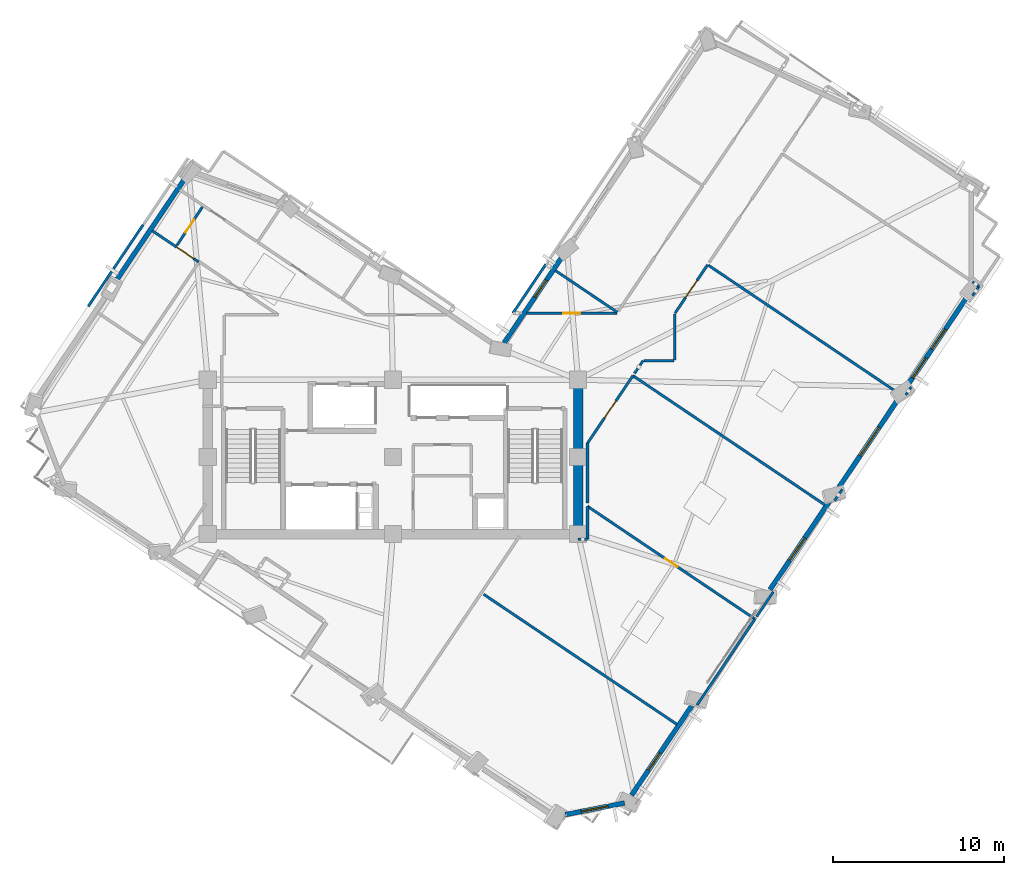
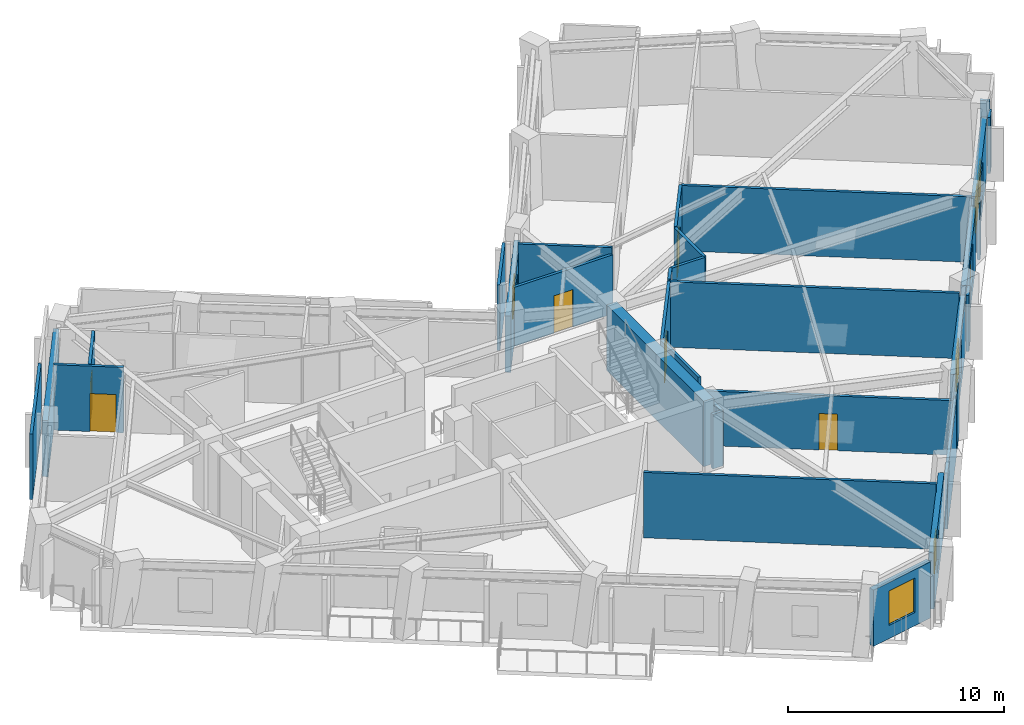
# One storey, part 7 of 14: 32 walls, 7 windows, 6 doors, 13 openings.
"""IFC4 building model written with IfcOpenShell, lengths in metres."""

from ifc_helpers import new_model, si_unit, direction, frame, frame_2d, origin, place, context, subcontext, project, spatial, rectangle, extrude, material, layer, layer_set, type_object, element, fill, save


model = new_model("IFC4")

# Units and contexts
model_context = context("Model", 3, precision=1e-05, world=origin(), true_north=direction((0.0, 1.0)))
body_context = subcontext(model_context, "Body", "Model", "MODEL_VIEW")
ifc_project = project(units=[si_unit("LENGTHUNIT", "METRE"), si_unit("AREAUNIT", "SQUARE_METRE"), si_unit("VOLUMEUNIT", "CUBIC_METRE"), si_unit("PLANEANGLEUNIT", "RADIAN"), si_unit("MASSUNIT", "GRAM", prefix="KILO")], contexts=[model_context])

# Site, building, storey
site_placement = place(None, origin())
site = spatial("IfcSite", under=ifc_project, at=site_placement, CompositionType="ELEMENT")
building_placement = place(site_placement, origin())
building = spatial("IfcBuilding", under=site, at=building_placement, Name="Gaonmaruhae Medical Tower", CompositionType="ELEMENT")
storey_placement = place(building_placement, frame((0.0, 0.0, 263.199951171875)))
storey = spatial("IfcBuildingStorey", under=building, at=storey_placement, Name="L63", CompositionType="ELEMENT", Elevation=263.199951171875)

# Wall
ifc_material_1 = material(Name="Concrete C50/60", Category="concrete")
ifc_layer_1 = layer(ifc_material_1, 0.550048828125)
ifc_layer_set_1 = layer_set([ifc_layer_1], Name="Concrete C50/60")
wall_type_1 = type_object("IfcWallType", Name="CW-550 Mid-High Core Shear Wall", PredefinedType="SHEAR", material=ifc_layer_set_1)
wall_1_placement = place(storey_placement, frame((35.60009765625, 7.800048828125, 0.0), z_axis=(0.0, 0.0, 1.0), x_axis=(0.0, 1.0, 0.0)))
element("IfcWall", 1, at=wall_1_placement, inside=storey, type_object=wall_type_1, Name="L63 Core Shear Wall CSW-E1", PredefinedType="SHEAR", context=body_context, shape_type="SweptSolid", body=[
    extrude(rectangle(XDim=9.0, YDim=0.550048828125, at=frame_2d((4.5, 0.0))), origin(), (0.0, 0.0, 1.0), 3.699951171875),
])

# Wall, opening, window
ifc_material_2 = material(Name="Precast concrete C45/55", Category="concrete")
ifc_layer_2 = layer(ifc_material_2, 0.280029296875)
ifc_layer_set_2 = layer_set([ifc_layer_2], Name="Precast concrete C45/55")
wall_type_2 = type_object("IfcWallType", Name="EW-280 Upper Precast Masonry-Frame Facade Wall", PredefinedType="SOLIDWALL", material=ifc_layer_set_2)
wall_2_placement = place(storey_placement, frame((42.347412109375, -2.048095703125, 0.0), z_axis=(0.0, 0.0, 1.0), x_axis=(-0.558482497453, -0.829516304866, 0.0)))
wall_2 = element("IfcWall", 2, at=wall_2_placement, inside=storey, type_object=wall_type_2, Name="L63 Precast Masonry-Frame Wall S01-S02", PredefinedType="SOLIDWALL", context=body_context, shape_type="SweptSolid", body=[
    extrude(rectangle(XDim=6.484619140625, YDim=0.280029296875, at=frame_2d((3.2421875, 0.0))), origin(), (0.0, 0.0, 1.0), 3.18505859375),
])
opening_1_placement = place(wall_2_placement, frame((3.5263671875, 0.0, 0.75)))
opening_1 = element("IfcOpeningElement", 3, at=opening_1_placement, cuts=wall_2, Name="Opening WN-05", PredefinedType="OPENING", context=body_context, shape_type="SweptSolid", body=[
    extrude(rectangle(XDim=1.199951171875, YDim=1.75, at=frame_2d((0.60009765625, 0.875))), frame((0.0, 0.14990234375, 0.0), z_axis=(0.0, -1.0, 0.0), x_axis=(1.0, 0.0, 0.0)), (0.0, 0.0, 1.0), 0.300048828125),
])
ifc_material_3 = material(Name="Anodised aluminium and Low-E double glazing", Category="aluminium")
window_type_1 = type_object("IfcWindowType", Name="WN-05 Support & Staff Punched Window 1200x1750", PartitioningType="SINGLE_PANEL", PredefinedType="WINDOW", material=ifc_material_3)
window_1_placement = place(opening_1_placement, origin())
window_1 = element("IfcWindow", 4, at=window_1_placement, inside=storey, type_object=window_type_1, Name="L63 Modular Facade Window S01", OverallHeight=1.75, OverallWidth=1.199951171875, PartitioningType="SINGLE_PANEL", PredefinedType="WINDOW", context=body_context, shape_type="SweptSolid", body=[
    extrude(rectangle(XDim=1.199951171875, YDim=1.75, at=frame_2d((0.60009765625, 0.875))), frame((0.0, 0.030029296875, 0.0), z_axis=(0.0, -1.0, 0.0), x_axis=(1.0, 0.0, 0.0)), (0.0, 0.0, 1.0), 0.06005859375),
])
fill(opening_1, window_1)

wall_3_placement = place(storey_placement, frame((50.374755859375, 9.875244140625, 0.0), z_axis=(0.0, 0.0, 1.0), x_axis=(-0.558480653556, -0.829517546291, 0.0)))
wall_3 = element("IfcWall", 5, at=wall_3_placement, inside=storey, type_object=wall_type_2, Name="L63 Precast Masonry-Frame Wall S03-S04", PredefinedType="SOLIDWALL", context=body_context, shape_type="SweptSolid", body=[
    extrude(rectangle(XDim=6.413330078125, YDim=0.280029296875, at=frame_2d((3.20654296875, 0.0))), origin(), (0.0, 0.0, 1.0), 3.18505859375),
])
opening_2_placement = place(wall_3_placement, frame((2.770751953125, 0.0, 0.75)))
opening_2 = element("IfcOpeningElement", 6, at=opening_2_placement, cuts=wall_3, Name="Opening WN-01", PredefinedType="OPENING", context=body_context, shape_type="SweptSolid", body=[
    extrude(rectangle(XDim=1.60009765625, YDim=1.949951171875, at=frame_2d((0.800048828125, 0.97509765625))), frame((0.0, 0.14990234375, 0.0), z_axis=(0.0, -1.0, 0.0), x_axis=(1.0, 0.0, 0.0)), (0.0, 0.0, 1.0), 0.300048828125),
])
window_type_2 = type_object("IfcWindowType", Name="WN-01 Ward Punched Acoustic Window 1600x1950", PartitioningType="SINGLE_PANEL", PredefinedType="WINDOW", material=ifc_material_3)
window_2_placement = place(opening_2_placement, origin())
window_2 = element("IfcWindow", 7, at=window_2_placement, inside=storey, type_object=window_type_2, Name="L63 Modular Facade Window S03", OverallHeight=1.949951171875, OverallWidth=1.60009765625, PartitioningType="SINGLE_PANEL", PredefinedType="WINDOW", context=body_context, shape_type="SweptSolid", body=[
    extrude(rectangle(XDim=1.60009765625, YDim=1.949951171875, at=frame_2d((0.800048828125, 0.97509765625))), frame((0.0, 0.030029296875, 0.0), z_axis=(0.0, -1.0, 0.0), x_axis=(1.0, 0.0, 0.0)), (0.0, 0.0, 1.0), 0.06005859375),
])
fill(opening_2, window_2)

wall_4_placement = place(storey_placement, frame((54.39599609375, 15.848388671875, 0.0), z_axis=(0.0, 0.0, 1.0), x_axis=(-0.558449495044, -0.829538523208, 0.0)))
wall_4 = element("IfcWall", 8, at=wall_4_placement, inside=storey, type_object=wall_type_2, Name="L63 Precast Masonry-Frame Wall S04-S05", PredefinedType="SOLIDWALL", context=body_context, shape_type="SweptSolid", body=[
    extrude(rectangle(XDim=6.40673828125, YDim=0.280029296875, at=frame_2d((3.203369140625, 0.0))), origin(), (0.0, 0.0, 1.0), 3.18505859375),
])
opening_3_placement = place(wall_4_placement, frame((2.203857421875, 0.0, 0.75)))
opening_3 = element("IfcOpeningElement", 9, at=opening_3_placement, cuts=wall_4, Name="Opening WN-02", PredefinedType="OPENING", context=body_context, shape_type="SweptSolid", body=[
    extrude(rectangle(XDim=2.0, YDim=1.949951171875, at=frame_2d((1.0, 0.97509765625))), frame((0.0, 0.14990234375, 0.0), z_axis=(0.0, -1.0, 0.0), x_axis=(1.0, 0.0, 0.0)), (0.0, 0.0, 1.0), 0.300048828125),
])
window_type_3 = type_object("IfcWindowType", Name="WN-02 Double-Bed Ward Punched Window 2000x1950", PartitioningType="SINGLE_PANEL", PredefinedType="WINDOW", material=ifc_material_3)
window_3_placement = place(opening_3_placement, origin())
window_3 = element("IfcWindow", 10, at=window_3_placement, inside=storey, type_object=window_type_3, Name="L63 Modular Facade Window S04", OverallHeight=1.949951171875, OverallWidth=2.0, PartitioningType="SINGLE_PANEL", PredefinedType="WINDOW", context=body_context, shape_type="SweptSolid", body=[
    extrude(rectangle(XDim=2.0, YDim=1.949951171875, at=frame_2d((1.0, 0.97509765625))), frame((0.0, 0.030029296875, 0.0), z_axis=(0.0, -1.0, 0.0), x_axis=(1.0, 0.0, 0.0)), (0.0, 0.0, 1.0), 0.06005859375),
])
fill(opening_3, window_3)

# Wall, openings, windows
wall_5_placement = place(storey_placement, frame((58.422607421875, 21.8291015625, 0.0), z_axis=(0.0, 0.0, 1.0), x_axis=(-0.558495168745, -0.829507773615, 0.0)))
wall_5 = element("IfcWall", 11, at=wall_5_placement, inside=storey, type_object=wall_type_2, Name="L63 Precast Masonry-Frame Wall S05-S06", PredefinedType="SOLIDWALL", context=body_context, shape_type="SweptSolid", body=[
    extrude(rectangle(XDim=6.41845703125, YDim=0.280029296875, at=frame_2d((3.209228515625, 0.0))), origin(), (0.0, 0.0, 1.0), 3.18505859375),
])
opening_4_placement = place(wall_5_placement, frame((2.511962890625, 0.0, 0.75)))
opening_4 = element("IfcOpeningElement", 12, at=opening_4_placement, cuts=wall_5, Name="Opening WN-03", PredefinedType="OPENING", context=body_context, shape_type="SweptSolid", body=[
    extrude(rectangle(XDim=1.39990234375, YDim=1.85009765625, at=frame_2d((0.699951171875, 0.925048828125))), frame((0.0, 0.14990234375, 0.0), z_axis=(0.0, -1.0, 0.0), x_axis=(1.0, 0.0, 0.0)), (0.0, 0.0, 1.0), 0.300048828125),
])
opening_5_placement = place(wall_5_placement, frame((4.52978515625, 0.0, 0.75)))
opening_5 = element("IfcOpeningElement", 13, at=opening_5_placement, cuts=wall_5, Name="Opening WN-03", PredefinedType="OPENING", context=body_context, shape_type="SweptSolid", body=[
    extrude(rectangle(XDim=1.39990234375, YDim=1.85009765625, at=frame_2d((0.699951171875, 0.925048828125))), frame((0.0, 0.14990234375, 0.0), z_axis=(0.0, -1.0, 0.0), x_axis=(1.0, 0.0, 0.0)), (0.0, 0.0, 1.0), 0.300048828125),
])
window_type_4 = type_object("IfcWindowType", Name="WN-03 Isolation Ward Punched Window 1400x1850", PartitioningType="SINGLE_PANEL", PredefinedType="WINDOW", material=ifc_material_3)
window_4_placement = place(opening_4_placement, origin())
window_4 = element("IfcWindow", 14, at=window_4_placement, inside=storey, type_object=window_type_4, Name="L63 Modular Facade Window S05", OverallHeight=1.85009765625, OverallWidth=1.39990234375, PartitioningType="SINGLE_PANEL", PredefinedType="WINDOW", context=body_context, shape_type="SweptSolid", body=[
    extrude(rectangle(XDim=1.39990234375, YDim=1.85009765625, at=frame_2d((0.699951171875, 0.925048828125))), frame((0.0, 0.030029296875, 0.0), z_axis=(0.0, -1.0, 0.0), x_axis=(1.0, 0.0, 0.0)), (0.0, 0.0, 1.0), 0.06005859375),
])
fill(opening_4, window_4)
window_5_placement = place(opening_5_placement, origin())
window_5 = element("IfcWindow", 15, at=window_5_placement, inside=storey, type_object=window_type_4, Name="L63 Modular Facade Window S05B", OverallHeight=1.85009765625, OverallWidth=1.39990234375, PartitioningType="SINGLE_PANEL", PredefinedType="WINDOW", context=body_context, shape_type="SweptSolid", body=[
    extrude(rectangle(XDim=1.39990234375, YDim=1.85009765625, at=frame_2d((0.699951171875, 0.925048828125))), frame((0.0, 0.030029296875, 0.0), z_axis=(0.0, -1.0, 0.0), x_axis=(1.0, 0.0, 0.0)), (0.0, 0.0, 1.0), 0.06005859375),
])
fill(opening_5, window_5)

# Wall, opening, window
wall_6_placement = place(storey_placement, frame((31.288330078125, 18.948974609375, 0.0), z_axis=(0.0, 0.0, 1.0), x_axis=(0.558472908241, 0.829522760846, 0.0)))
wall_6 = element("IfcWall", 16, at=wall_6_placement, inside=storey, type_object=wall_type_2, Name="L63 Precast Masonry-Frame Wall EN02-KN01", PredefinedType="SOLIDWALL", context=body_context, shape_type="SweptSolid", body=[
    extrude(rectangle(XDim=6.158203125, YDim=0.280029296875, at=frame_2d((3.0791015625, 0.0))), origin(), (0.0, 0.0, 1.0), 3.18505859375),
])
opening_6_placement = place(wall_6_placement, frame((3.212890625, 0.0, 0.75)))
opening_6 = element("IfcOpeningElement", 17, at=opening_6_placement, cuts=wall_6, Name="Opening WN-05", PredefinedType="OPENING", context=body_context, shape_type="SweptSolid", body=[
    extrude(rectangle(XDim=1.199951171875, YDim=1.75, at=frame_2d((0.60009765625, 0.875))), frame((0.0, 0.14990234375, 0.0), z_axis=(0.0, -1.0, 0.0), x_axis=(1.0, 0.0, 0.0)), (0.0, 0.0, 1.0), 0.300048828125),
])
window_6_placement = place(opening_6_placement, origin())
window_6 = element("IfcWindow", 18, at=window_6_placement, inside=storey, type_object=window_type_1, Name="L63 Modular Facade Window EN02", OverallHeight=1.75, OverallWidth=1.199951171875, PartitioningType="SINGLE_PANEL", PredefinedType="WINDOW", context=body_context, shape_type="SweptSolid", body=[
    extrude(rectangle(XDim=1.199951171875, YDim=1.75, at=frame_2d((0.60009765625, 0.875))), frame((0.0, 0.030029296875, 0.0), z_axis=(0.0, -1.0, 0.0), x_axis=(1.0, 0.0, 0.0)), (0.0, 0.0, 1.0), 0.06005859375),
])
fill(opening_6, window_6)

# Wall
wall_7_placement = place(storey_placement, frame((8.509765625, 22.359619140625, 0.0), z_axis=(0.0, 0.0, 1.0), x_axis=(0.558483719986, 0.829515481779, 0.0)))
element("IfcWall", 19, at=wall_7_placement, inside=storey, type_object=wall_type_2, Name="L63 Precast Masonry-Frame Wall N01-N02", PredefinedType="SOLIDWALL", context=body_context, shape_type="SweptSolid", body=[
    extrude(rectangle(XDim=7.43408203125, YDim=0.280029296875, at=frame_2d((3.717041015625, 0.0))), origin(), (0.0, 0.0, 1.0), 3.18505859375),
])

# Wall, opening, window
wall_8_placement = place(storey_placement, frame((38.30859375, -7.89013671875, 0.0), z_axis=(0.0, 0.0, 1.0), x_axis=(-0.981458786482, -0.191673290881, 0.0)))
wall_8 = element("IfcWall", 20, at=wall_8_placement, inside=storey, type_object=wall_type_2, Name="L63 Precast Masonry-Frame Wall W06-S01", PredefinedType="SOLIDWALL", context=body_context, shape_type="SweptSolid", body=[
    extrude(rectangle(XDim=3.5205078125, YDim=0.280029296875, at=frame_2d((1.76025390625, 0.0))), origin(), (0.0, 0.0, 1.0), 3.18505859375),
])
opening_7_placement = place(wall_8_placement, frame((0.959716796875, 0.0, 0.75)))
opening_7 = element("IfcOpeningElement", 21, at=opening_7_placement, cuts=wall_8, Name="Opening WN-01", PredefinedType="OPENING", context=body_context, shape_type="SweptSolid", body=[
    extrude(rectangle(XDim=1.60009765625, YDim=1.949951171875, at=frame_2d((0.800048828125, 0.97509765625))), frame((0.0, 0.14990234375, 0.0), z_axis=(0.0, -1.0, 0.0), x_axis=(1.0, 0.0, 0.0)), (0.0, 0.0, 1.0), 0.300048828125),
])
window_7_placement = place(opening_7_placement, origin())
window_7 = element("IfcWindow", 22, at=window_7_placement, inside=storey, type_object=window_type_2, Name="L63 Modular Facade Window W06", OverallHeight=1.949951171875, OverallWidth=1.60009765625, PartitioningType="SINGLE_PANEL", PredefinedType="WINDOW", context=body_context, shape_type="SweptSolid", body=[
    extrude(rectangle(XDim=1.60009765625, YDim=1.949951171875, at=frame_2d((0.800048828125, 0.97509765625))), frame((0.0, 0.030029296875, 0.0), z_axis=(0.0, -1.0, 0.0), x_axis=(1.0, 0.0, 0.0)), (0.0, 0.0, 1.0), 0.06005859375),
])
fill(opening_7, window_7)

# Wall, opening, door
ifc_material_4 = material(Name="Gypsum board partition", Category="gypsum")
ifc_layer_3 = layer(ifc_material_4, 0.14990234375)
ifc_layer_set_3 = layer_set([ifc_layer_3], Name="Gypsum board partition")
wall_type_3 = type_object("IfcWallType", Name="PW-150 Rated Clinical Corridor Partition", PredefinedType="PARTITIONING", material=ifc_layer_set_3)
wall_9_placement = place(storey_placement, frame((36.14990234375, 9.4189453125, 0.0), z_axis=(0.0, 0.0, 1.0), x_axis=(0.829512010083, -0.558488876458, 0.0)))
wall_9 = element("IfcWall", 23, at=wall_9_placement, inside=storey, type_object=wall_type_3, Name="L63 Interior Partition L63-SUP02-7", PredefinedType="PARTITIONING", context=body_context, shape_type="SweptSolid", body=[
    extrude(rectangle(XDim=11.7744140625, YDim=0.14990234375, at=frame_2d((5.88720703125, 0.0))), origin(), (0.0, 0.0, 1.0), 3.0849609375),
])
opening_8_placement = place(wall_9_placement, frame((5.457275390625, 0.0, 0.0)))
opening_8 = element("IfcOpeningElement", 24, at=opening_8_placement, cuts=wall_9, Name="Opening AD-01", PredefinedType="OPENING", context=body_context, shape_type="SweptSolid", body=[
    extrude(rectangle(XDim=0.860107421875, YDim=2.06005859375, at=frame_2d((0.43017578125, 1.030029296875))), frame((0.0, 0.0849609375, 0.0), z_axis=(0.0, -1.0, 0.0), x_axis=(1.0, 0.0, 0.0)), (0.0, 0.0, 1.0), 0.169921875),
])
ifc_material_5 = material(Name="Powder-coated steel access door", Category="steel")
door_type_1 = type_object("IfcDoorType", Name="AD-01 Riser & Closet Access Fire Door 860x2060", OperationType="NOTDEFINED", PredefinedType="DOOR", material=ifc_material_5)
door_1_placement = place(opening_8_placement, origin())
door_1 = element("IfcDoor", 25, at=door_1_placement, inside=storey, type_object=door_type_1, Name="L63 Clinical Biomedical Charting Office Sliding Door", OperationType="SLIDING_TO_LEFT", OverallHeight=2.06005859375, OverallWidth=0.860107421875, PredefinedType="DOOR", context=body_context, shape_type="SweptSolid", body=[
    extrude(rectangle(XDim=0.860107421875, YDim=2.06005859375, at=frame_2d((0.43017578125, 1.030029296875))), frame((0.0, 0.02490234375, 0.0), z_axis=(0.0, -1.0, 0.0), x_axis=(1.0, 0.0, 0.0)), (0.0, 0.0, 1.0), 0.050048828125),
])
fill(opening_8, door_1)

# Walls
wall_10_placement = place(storey_placement, frame((45.9169921875, 2.843017578125, 0.0), z_axis=(0.0, 0.0, 1.0), x_axis=(-0.558381708273, -0.829584153577, 0.0)))
element("IfcWall", 26, at=wall_10_placement, inside=storey, type_object=wall_type_3, Name="L63 Interior Partition L63-SUP02-8", PredefinedType="PARTITIONING", context=body_context, shape_type="SweptSolid", body=[
    extrude(rectangle(XDim=6.05126953125, YDim=0.14990234375, at=frame_2d((3.025634765625, 0.0))), origin(), (0.0, 0.0, 1.0), 3.18505859375),
])
wall_11_placement = place(storey_placement, frame((41.364990234375, -3.302001953125, 0.0), z_axis=(0.0, 0.0, 1.0), x_axis=(-0.829542602035, 0.558443436178, 0.0)))
element("IfcWall", 27, at=wall_11_placement, inside=storey, type_object=wall_type_3, Name="L63 Interior Partition L63-SUP02-9", PredefinedType="PARTITIONING", context=body_context, shape_type="SweptSolid", body=[
    extrude(rectangle(XDim=13.5859375, YDim=0.14990234375, at=frame_2d((6.79296875, 0.0))), origin(), (0.0, 0.0, 1.0), 3.699951171875),
])
wall_12_placement = place(storey_placement, frame((35.60009765625, 7.5, 0.0), z_axis=(0.0, 0.0, 1.0), x_axis=(1.0, 0.0, 0.0)))
element("IfcWall", 28, at=wall_12_placement, inside=storey, type_object=wall_type_3, Name="L63 Interior Partition L63-SUP02-11", PredefinedType="PARTITIONING", context=body_context, shape_type="SweptSolid", body=[
    extrude(rectangle(XDim=0.5498046875, YDim=0.14990234375, at=frame_2d((0.27490234375, 0.0))), origin(), (0.0, 0.0, 1.0), 3.0849609375),
])
wall_13_placement = place(storey_placement, frame((36.14990234375, 7.5, 0.0), z_axis=(0.0, 0.0, 1.0), x_axis=(0.0, 1.0, 0.0)))
element("IfcWall", 29, at=wall_13_placement, inside=storey, type_object=wall_type_3, Name="L63 Interior Partition L63-SUP02-12", PredefinedType="PARTITIONING", context=body_context, shape_type="SweptSolid", body=[
    extrude(rectangle(XDim=1.9189453125, YDim=0.14990234375, at=frame_2d((0.95947265625, 0.0))), origin(), (0.0, 0.0, 1.0), 3.0849609375),
])
wall_14_placement = place(storey_placement, frame((38.801025390625, 17.037109375, 0.0), z_axis=(0.0, 0.0, 1.0), x_axis=(0.829520972269, -0.558475564878, 0.0)))
element("IfcWall", 30, at=wall_14_placement, inside=storey, type_object=wall_type_3, Name="L63 Interior Partition L63-SUP03-13", PredefinedType="PARTITIONING", context=body_context, shape_type="SweptSolid", body=[
    extrude(rectangle(XDim=13.48486328125, YDim=0.14990234375, at=frame_2d((6.742431640625, 0.0))), origin(), (0.0, 0.0, 1.0), 3.699951171875),
])
wall_15_placement = place(storey_placement, frame((46.98388671875, 4.427001953125, 0.0), z_axis=(0.0, 0.0, 1.0), x_axis=(-0.558463190608, -0.829529303121, 0.0)))
element("IfcWall", 31, at=wall_15_placement, inside=storey, type_object=wall_type_3, Name="L63 Interior Partition L63-SUP03-14", PredefinedType="PARTITIONING", context=body_context, shape_type="SweptSolid", body=[
    extrude(rectangle(XDim=1.7490234375, YDim=0.14990234375, at=frame_2d((0.87451171875, 0.0))), origin(), (0.0, 0.0, 1.0), 3.18505859375),
])
wall_16_placement = place(storey_placement, frame((36.14990234375, 9.612060546875, 0.0), z_axis=(0.0, 0.0, 1.0), x_axis=(0.0, 1.0, 0.0)))
element("IfcWall", 32, at=wall_16_placement, inside=storey, type_object=wall_type_3, Name="L63 Interior Partition L63-SUP03-15", PredefinedType="PARTITIONING", context=body_context, shape_type="SweptSolid", body=[
    extrude(rectangle(XDim=3.487060546875, YDim=0.14990234375, at=frame_2d((1.74365234375, 0.0))), origin(), (0.0, 0.0, 1.0), 3.699951171875),
])

# Wall, opening, door
wall_17_placement = place(storey_placement, frame((36.14990234375, 13.09912109375, 0.0), z_axis=(0.0, 0.0, 1.0), x_axis=(0.558456682141, 0.829533684772, 0.0)))
wall_17 = element("IfcWall", 33, at=wall_17_placement, inside=storey, type_object=wall_type_3, Name="L63 Interior Partition L63-SUP03-16", PredefinedType="PARTITIONING", context=body_context, shape_type="SweptSolid", body=[
    extrude(rectangle(XDim=4.747314453125, YDim=0.14990234375, at=frame_2d((2.37353515625, 0.0))), origin(), (0.0, 0.0, 1.0), 3.699951171875),
])
opening_9_placement = place(wall_17_placement, frame((1.773681640625, 0.0, 0.0)))
opening_9 = element("IfcOpeningElement", 34, at=opening_9_placement, cuts=wall_17, Name="Opening CD-02", PredefinedType="OPENING", context=body_context, shape_type="SweptSolid", body=[
    extrude(rectangle(XDim=1.199951171875, YDim=2.14990234375, at=frame_2d((0.60009765625, 1.074951171875))), frame((0.0, 0.0849609375, 0.0), z_axis=(0.0, -1.0, 0.0), x_axis=(1.0, 0.0, 0.0)), (0.0, 0.0, 1.0), 0.169921875),
])
ifc_material_6 = material(Name="Antimicrobial laminate timber fire door", Category="wood")
door_type_2 = type_object("IfcDoorType", Name="CD-02 Clinical Treatment & Procedure Door 1200x2150", OperationType="NOTDEFINED", PredefinedType="DOOR", material=ifc_material_6)
door_2_placement = place(opening_9_placement, origin())
door_2 = element("IfcDoor", 35, at=door_2_placement, inside=storey, type_object=door_type_2, Name="L63 Clinical Biomedical Charting Office Door", OperationType="SINGLE_SWING_RIGHT", OverallHeight=2.14990234375, OverallWidth=1.199951171875, PredefinedType="DOOR", context=body_context, shape_type="SweptSolid", body=[
    extrude(rectangle(XDim=1.199951171875, YDim=2.14990234375, at=frame_2d((0.60009765625, 1.074951171875))), frame((0.0, 0.02490234375, 0.0), z_axis=(0.0, -1.0, 0.0), x_axis=(1.0, 0.0, 0.0)), (0.0, 0.0, 1.0), 0.050048828125),
])
fill(opening_9, door_2)

# Wall
wall_18_placement = place(storey_placement, frame((41.22998046875, 17.949951171875, 0.0), z_axis=(0.0, 0.0, 1.0), x_axis=(0.0, 1.0, 0.0)))
element("IfcWall", 36, at=wall_18_placement, inside=storey, type_object=wall_type_3, Name="L63 Interior Partition L63-SUP04-17", PredefinedType="PARTITIONING", context=body_context, shape_type="SweptSolid", body=[
    extrude(rectangle(XDim=2.694091796875, YDim=0.14990234375, at=frame_2d((1.34716796875, 0.0))), origin(), (0.0, 0.0, 1.0), 3.699951171875),
])

# Wall, opening, door
wall_19_placement = place(storey_placement, frame((41.258056640625, 20.68505859375, 0.0), z_axis=(0.0, 0.0, 1.0), x_axis=(0.558272819902, 0.829657434462, 0.0)))
wall_19 = element("IfcWall", 37, at=wall_19_placement, inside=storey, type_object=wall_type_3, Name="L63 Interior Partition L63-SUP04-18", PredefinedType="PARTITIONING", context=body_context, shape_type="SweptSolid", body=[
    extrude(rectangle(XDim=3.4013671875, YDim=0.14990234375, at=frame_2d((1.70068359375, 0.0))), origin(), (0.0, 0.0, 1.0), 3.699951171875),
])
opening_10_placement = place(wall_19_placement, frame((1.1005859375, 0.0, 0.0)))
opening_10 = element("IfcOpeningElement", 38, at=opening_10_placement, cuts=wall_19, Name="Opening CD-02", PredefinedType="OPENING", context=body_context, shape_type="SweptSolid", body=[
    extrude(rectangle(XDim=1.199951171875, YDim=2.14990234375, at=frame_2d((0.60009765625, 1.074951171875))), frame((0.0, 0.0849609375, 0.0), z_axis=(0.0, -1.0, 0.0), x_axis=(1.0, 0.0, 0.0)), (0.0, 0.0, 1.0), 0.169921875),
])
door_3_placement = place(opening_10_placement, origin())
door_3 = element("IfcDoor", 39, at=door_3_placement, inside=storey, type_object=door_type_2, Name="L63 Clinical Biomedical Charting Office Door", OperationType="SINGLE_SWING_RIGHT", OverallHeight=2.14990234375, OverallWidth=1.199951171875, PredefinedType="DOOR", context=body_context, shape_type="SweptSolid", body=[
    extrude(rectangle(XDim=1.199951171875, YDim=2.14990234375, at=frame_2d((0.60009765625, 1.074951171875))), frame((0.0, 0.02490234375, 0.0), z_axis=(0.0, -1.0, 0.0), x_axis=(1.0, 0.0, 0.0)), (0.0, 0.0, 1.0), 0.050048828125),
])
fill(opening_10, door_3)

# Walls
wall_20_placement = place(storey_placement, frame((43.197998046875, 23.47900390625, 0.0), z_axis=(0.0, 0.0, 1.0), x_axis=(0.829581933243, -0.558385006994, 0.0)))
element("IfcWall", 40, at=wall_20_placement, inside=storey, type_object=wall_type_3, Name="L63 Interior Partition L63-SUP04-19", PredefinedType="PARTITIONING", context=body_context, shape_type="SweptSolid", body=[
    extrude(rectangle(XDim=13.465576171875, YDim=0.14990234375, at=frame_2d((6.73291015625, 0.0))), origin(), (0.0, 0.0, 1.0), 3.699951171875),
])
wall_21_placement = place(storey_placement, frame((51.009033203125, 10.405029296875, 0.0), z_axis=(0.0, 0.0, 1.0), x_axis=(-0.558600379479, -0.829436927105, 0.0)))
element("IfcWall", 41, at=wall_21_placement, inside=storey, type_object=wall_type_3, Name="L63 Interior Partition L63-SUP04-20", PredefinedType="PARTITIONING", context=body_context, shape_type="SweptSolid", body=[
    extrude(rectangle(XDim=0.793212890625, YDim=0.14990234375, at=frame_2d((0.396484375, 0.0))), origin(), (0.0, 0.0, 1.0), 3.18505859375),
])
wall_22_placement = place(storey_placement, frame((38.89111328125, 17.169921875, 0.0), z_axis=(0.0, 0.0, 1.0), x_axis=(0.558433549648, 0.829549257505, 0.0)))
element("IfcWall", 42, at=wall_22_placement, inside=storey, type_object=wall_type_3, Name="L63 Interior Partition L63-SUP04-21", PredefinedType="PARTITIONING", context=body_context, shape_type="SweptSolid", body=[
    extrude(rectangle(XDim=0.904052734375, YDim=0.14990234375, at=frame_2d((0.4521484375, 0.0))), origin(), (0.0, 0.0, 1.0), 3.699951171875),
])
wall_23_placement = place(storey_placement, frame((39.446044921875, 17.919921875, 0.0), z_axis=(0.0, 0.0, 1.0), x_axis=(1.0, 0.0, 0.0)))
element("IfcWall", 43, at=wall_23_placement, inside=storey, type_object=wall_type_3, Name="L63 Interior Partition L63-SUP04-22", PredefinedType="PARTITIONING", context=body_context, shape_type="SweptSolid", body=[
    extrude(rectangle(XDim=1.743896484375, YDim=0.14990234375, at=frame_2d((0.8720703125, 0.0))), origin(), (0.0, 0.0, 1.0), 3.699951171875),
])
wall_24_placement = place(storey_placement, frame((58.60595703125, 22.510009765625, 0.0), z_axis=(0.0, 0.0, 1.0), x_axis=(0.829336183231, -0.558749939762, 0.0)))
element("IfcWall", 44, at=wall_24_placement, inside=storey, type_object=wall_type_3, Name="L63 Interior Partition L63-SUP05-25", PredefinedType="PARTITIONING", context=body_context, shape_type="SweptSolid", body=[
    extrude(rectangle(XDim=0.458251953125, YDim=0.14990234375, at=frame_2d((0.22900390625, 0.0))), origin(), (0.0, 0.0, 1.0), 3.699951171875),
])
wall_25_placement = place(storey_placement, frame((58.986083984375, 22.25390625, 0.0), z_axis=(0.0, 0.0, 1.0), x_axis=(-0.559252824806, -0.828997151953, 0.0)))
element("IfcWall", 45, at=wall_25_placement, inside=storey, type_object=wall_type_3, Name="L63 Interior Partition L63-SUP05-26", PredefinedType="PARTITIONING", context=body_context, shape_type="SweptSolid", body=[
    extrude(rectangle(XDim=0.6669921875, YDim=0.14990234375, at=frame_2d((0.33349609375, 0.0))), origin(), (0.0, 0.0, 1.0), 3.18505859375),
])
wall_26_placement = place(storey_placement, frame((55.029052734375, 16.3759765625, 0.0), z_axis=(0.0, 0.0, 1.0), x_axis=(-0.558958732834, -0.829195474535, 0.0)))
element("IfcWall", 46, at=wall_26_placement, inside=storey, type_object=wall_type_3, Name="L63 Interior Partition L63-SUP05-27", PredefinedType="PARTITIONING", context=body_context, shape_type="SweptSolid", body=[
    extrude(rectangle(XDim=0.5546875, YDim=0.14990234375, at=frame_2d((0.27734375, 0.0))), origin(), (0.0, 0.0, 1.0), 3.18505859375),
])
wall_27_placement = place(storey_placement, frame((34.27001953125, 23.173095703125, 0.0), z_axis=(0.0, 0.0, 1.0), x_axis=(0.82942268085, -0.558621532427, 0.0)))
element("IfcWall", 47, at=wall_27_placement, inside=storey, type_object=wall_type_3, Name="L63 Interior Partition L63-IE01-55", PredefinedType="PARTITIONING", context=body_context, shape_type="SweptSolid", body=[
    extrude(rectangle(XDim=4.375244140625, YDim=0.14990234375, at=frame_2d((2.1875, 0.0))), origin(), (0.0, 0.0, 1.0), 3.699951171875),
])

# Wall, opening, door
wall_28_placement = place(storey_placement, frame((37.865966796875, 20.679931640625, 0.0), z_axis=(0.0, 0.0, 1.0), x_axis=(-1.0, 0.0, 0.0)))
wall_28 = element("IfcWall", 48, at=wall_28_placement, inside=storey, type_object=wall_type_3, Name="L63 Interior Partition L63-IE01-56", PredefinedType="PARTITIONING", context=body_context, shape_type="SweptSolid", body=[
    extrude(rectangle(XDim=5.27392578125, YDim=0.14990234375, at=frame_2d((2.636962890625, 0.0))), origin(), (0.0, 0.0, 1.0), 3.3349609375),
])
opening_11_placement = place(wall_28_placement, frame((2.136962890625, 0.0, 0.0)))
opening_11 = element("IfcOpeningElement", 49, at=opening_11_placement, cuts=wall_28, Name="Opening CD-01", PredefinedType="OPENING", context=body_context, shape_type="SweptSolid", body=[
    extrude(rectangle(XDim=1.0, YDim=2.1201171875, at=frame_2d((0.5, 1.06005859375))), frame((0.0, 0.0849609375, 0.0), z_axis=(0.0, -1.0, 0.0), x_axis=(1.0, 0.0, 0.0)), (0.0, 0.0, 1.0), 0.169921875),
])
door_type_3 = type_object("IfcDoorType", Name="CD-01 Consultation & Physician Office Door 1000x2120", OperationType="NOTDEFINED", PredefinedType="DOOR", material=ifc_material_6)
door_4_placement = place(opening_11_placement, origin())
door_4 = element("IfcDoor", 50, at=door_4_placement, inside=storey, type_object=door_type_3, Name="L63 Central Clinical Nurse Station Door", OperationType="SINGLE_SWING_LEFT", OverallHeight=2.1201171875, OverallWidth=1.0, PredefinedType="DOOR", context=body_context, shape_type="SweptSolid", body=[
    extrude(rectangle(XDim=1.0, YDim=2.1201171875, at=frame_2d((0.5, 1.06005859375))), frame((0.0, 0.02490234375, 0.0), z_axis=(0.0, -1.0, 0.0), x_axis=(1.0, 0.0, 0.0)), (0.0, 0.0, 1.0), 0.050048828125),
])
fill(opening_11, door_4)

# Walls
wall_29_placement = place(storey_placement, frame((31.791015625, 20.679931640625, 0.0), z_axis=(0.0, 0.0, 1.0), x_axis=(0.558431585415, 0.829550579778, 0.0)))
element("IfcWall", 51, at=wall_29_placement, inside=storey, type_object=wall_type_3, Name="L63 Interior Partition L63-IE01-58", PredefinedType="PARTITIONING", context=body_context, shape_type="SweptSolid", body=[
    extrude(rectangle(XDim=3.452392578125, YDim=0.14990234375, at=frame_2d((1.72607421875, 0.0))), origin(), (0.0, 0.0, 1.0), 3.699951171875),
])
wall_30_placement = place(storey_placement, frame((7.027099609375, 21.087890625, 0.0), z_axis=(0.0, 0.0, 1.0), x_axis=(0.558395509972, 0.829574863676, 0.0)))
element("IfcWall", 52, at=wall_30_placement, inside=storey, type_object=wall_type_3, Name="L63 Interior Partition L63-RM02-84", PredefinedType="PARTITIONING", context=body_context, shape_type="SweptSolid", body=[
    extrude(rectangle(XDim=5.7392578125, YDim=0.14990234375, at=frame_2d((2.86962890625, 0.0))), origin(), (0.0, 0.0, 1.0), 3.699951171875),
])

# Wall, opening, door
wall_31_placement = place(storey_placement, frame((10.759033203125, 25.493896484375, 0.0), z_axis=(0.0, 0.0, 1.0), x_axis=(0.829545107269, -0.558439714747, 0.0)))
wall_31 = element("IfcWall", 53, at=wall_31_placement, inside=storey, type_object=wall_type_3, Name="L63 Interior Partition L63-RM02-85", PredefinedType="PARTITIONING", context=body_context, shape_type="SweptSolid", body=[
    extrude(rectangle(XDim=3.264404296875, YDim=0.14990234375, at=frame_2d((1.63232421875, 0.0))), origin(), (0.0, 0.0, 1.0), 3.699951171875),
])
opening_12_placement = place(wall_31_placement, frame((1.709228515625, 0.0, 0.0)))
opening_12 = element("IfcOpeningElement", 54, at=opening_12_placement, cuts=wall_31, Name="Opening CD-02", PredefinedType="OPENING", context=body_context, shape_type="SweptSolid", body=[
    extrude(rectangle(XDim=1.199951171875, YDim=2.14990234375, at=frame_2d((0.60009765625, 1.074951171875))), frame((0.0, 0.0849609375, 0.0), z_axis=(0.0, -1.0, 0.0), x_axis=(1.0, 0.0, 0.0)), (0.0, 0.0, 1.0), 0.169921875),
])
door_5_placement = place(opening_12_placement, origin())
door_5 = element("IfcDoor", 55, at=door_5_placement, inside=storey, type_object=door_type_2, Name="L63 Care Team Clinical Charting Office Door", OperationType="SINGLE_SWING_RIGHT", OverallHeight=2.14990234375, OverallWidth=1.199951171875, PredefinedType="DOOR", context=body_context, shape_type="SweptSolid", body=[
    extrude(rectangle(XDim=1.199951171875, YDim=2.14990234375, at=frame_2d((0.60009765625, 1.074951171875))), frame((0.0, 0.02490234375, 0.0), z_axis=(0.0, -1.0, 0.0), x_axis=(1.0, 0.0, 0.0)), (0.0, 0.0, 1.0), 0.050048828125),
])
fill(opening_12, door_5)

wall_32_placement = place(storey_placement, frame((13.693115234375, 26.884033203125, 0.0), z_axis=(0.0, 0.0, 1.0), x_axis=(-0.553756971874, -0.832678338917, 0.0)))
wall_32 = element("IfcWall", 56, at=wall_32_placement, inside=storey, type_object=wall_type_3, Name="L63 Interior Partition L63-RM03-87", PredefinedType="PARTITIONING", context=body_context, shape_type="SweptSolid", body=[
    extrude(rectangle(XDim=2.68896484375, YDim=0.14990234375, at=frame_2d((1.344482421875, 0.0))), origin(), (0.0, 0.0, 1.0), 3.699951171875),
])
opening_13_placement = place(wall_32_placement, frame((0.884521484375, 0.0, 0.0)))
opening_13 = element("IfcOpeningElement", 57, at=opening_13_placement, cuts=wall_32, Name="Opening UD-01", PredefinedType="OPENING", context=body_context, shape_type="SweptSolid", body=[
    extrude(rectangle(XDim=0.919921875, YDim=2.10009765625, at=frame_2d((0.4599609375, 1.050048828125))), frame((0.0, 0.0849609375, 0.0), z_axis=(0.0, -1.0, 0.0), x_axis=(1.0, 0.0, 0.0)), (0.0, 0.0, 1.0), 0.169921875),
])
ifc_material_7 = material(Name="Powder-coated steel utility door", Category="steel")
door_type_4 = type_object("IfcDoorType", Name="UD-01 Toilet, Utility & Housekeeping Door 920x2100", OperationType="NOTDEFINED", PredefinedType="DOOR", material=ifc_material_7)
door_6_placement = place(opening_13_placement, origin())
door_6 = element("IfcDoor", 58, at=door_6_placement, inside=storey, type_object=door_type_4, Name="L63 Biomedical Mobile Equipment Bay Door", OperationType="SINGLE_SWING_RIGHT", OverallHeight=2.10009765625, OverallWidth=0.919921875, PredefinedType="DOOR", context=body_context, shape_type="SweptSolid", body=[
    extrude(rectangle(XDim=0.919921875, YDim=2.10009765625, at=frame_2d((0.4599609375, 1.050048828125))), frame((0.0, 0.02490234375, 0.0), z_axis=(0.0, -1.0, 0.0), x_axis=(1.0, 0.0, 0.0)), (0.0, 0.0, 1.0), 0.050048828125),
])
fill(opening_13, door_6)

save(model, "model.ifc")
